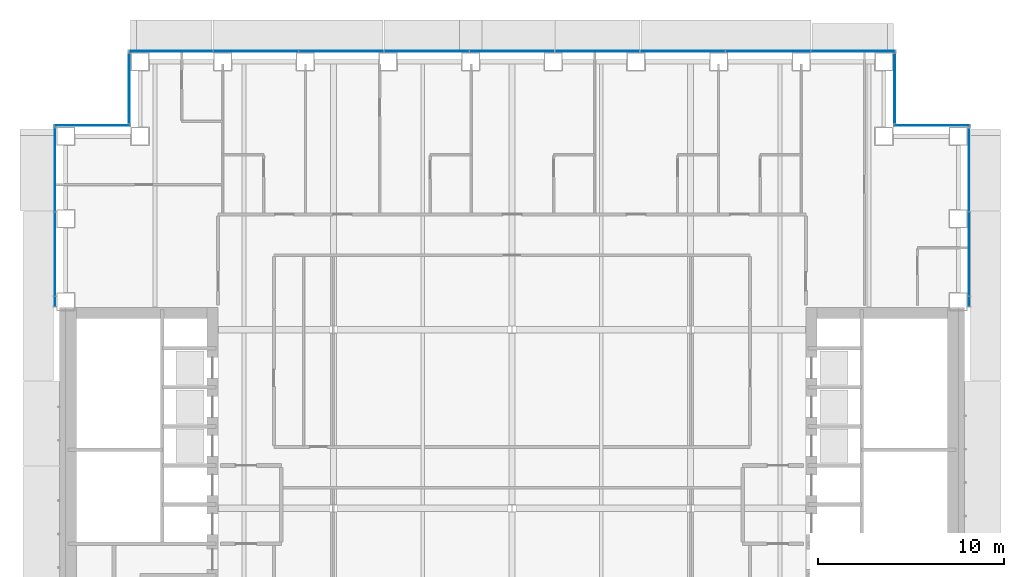
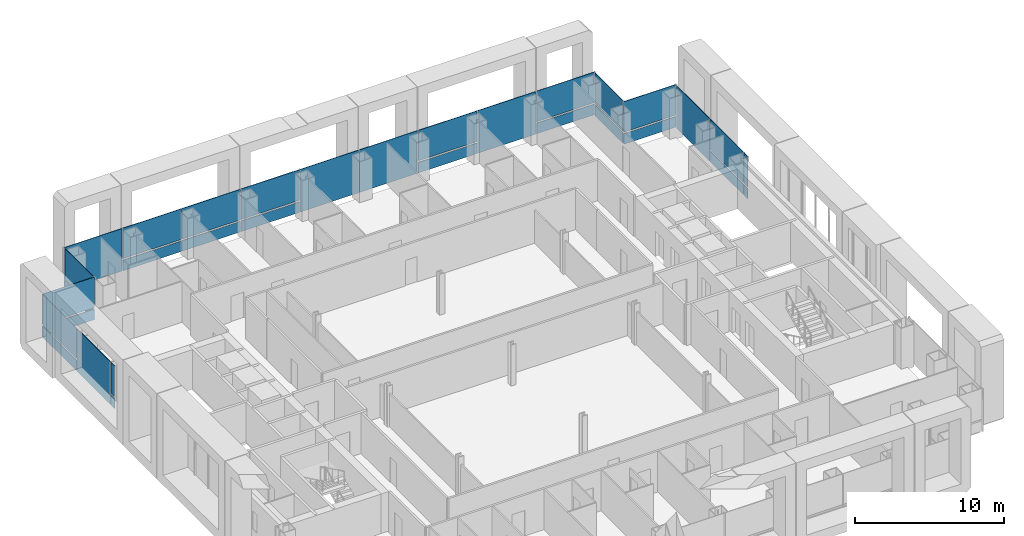
# One storey, part 14 of 25: 32 plates, 7 elements without a shape of their own.
"""IFC4 building model written with IfcOpenShell, lengths in metres."""

from ifc_helpers import new_model, si_unit, direction, frame, origin, origin_2d, place, context, subcontext, project, spatial, rectangle, extrude, material, layer, layer_set, type_object, element, aggregate, save


model = new_model("IFC4")

# Units and contexts
model_context = context("Model", 3, precision=1e-05, world=origin(), true_north=direction((0.0, 1.0)))
body_context = subcontext(model_context, "Body", "Model", "MODEL_VIEW")
ifc_project = project(units=[si_unit("LENGTHUNIT", "METRE"), si_unit("AREAUNIT", "SQUARE_METRE"), si_unit("VOLUMEUNIT", "CUBIC_METRE"), si_unit("PLANEANGLEUNIT", "RADIAN"), si_unit("MASSUNIT", "GRAM", prefix="KILO")], contexts=[model_context])

# Site, building, storey
site_placement = place(None, origin())
site = spatial("IfcSite", under=ifc_project, at=site_placement, CompositionType="ELEMENT")
building_placement = place(site_placement, origin())
building = spatial("IfcBuilding", under=site, at=building_placement, Name="Cobrizo Arcos Hotel Tower", CompositionType="ELEMENT")
storey_placement = place(building_placement, frame((0.0, 0.0, 46.0)))
storey = spatial("IfcBuildingStorey", under=building, at=storey_placement, Name="L09", CompositionType="ELEMENT", Elevation=46.0)

# Curtain wall, plates
ifc_material_1 = material(Name="Aluminium 6063-T6 anodised bronze", Category="aluminium")
curtain_wall_type = type_object("IfcCurtainWallType", Name="CW-A guest facade", PredefinedType="NOTDEFINED", material=ifc_material_1)
curtain_wall_1_placement = place(storey_placement, origin())
curtain_wall_1 = element("IfcCurtainWall", 1, at=curtain_wall_1_placement, inside=storey, type_object=curtain_wall_type, Name="CW-A L09 E face", PredefinedType="NOTDEFINED")
ifc_material_2 = material(Name="Glass clear laminated low-e", Category="glass")
ifc_layer_1 = layer(ifc_material_2, 0.0400390625)
ifc_layer_set_1 = layer_set([ifc_layer_1], Name="CW-A glass panel")
plate_type_1 = type_object("IfcPlateType", Name="CW-A glass panel", PredefinedType="CURTAIN_PANEL", material=ifc_layer_set_1)
plate_1_placement = place(storey_placement, frame((24.574951171875, 11.109375, 0.990234375), z_axis=(0.0, 0.0, 1.0), x_axis=(0.0, 1.0, 0.0)))
plate_1 = element("IfcPlate", 2, at=plate_1_placement, type_object=plate_type_1, Name="CW-A glass panel 451", PredefinedType="CURTAIN_PANEL", context=body_context, shape_type="SweptSolid", body=[
    extrude(rectangle(XDim=0.498779296875, YDim=0.0400390625, at=origin_2d()), origin(), (0.0, 0.0, 1.0), 2.510009765625),
])
plate_2_placement = place(storey_placement, frame((24.574951171875, 13.666748046875, 0.990234375), z_axis=(0.0, 0.0, 1.0), x_axis=(0.0, 1.0, 0.0)))
plate_2 = element("IfcPlate", 3, at=plate_2_placement, type_object=plate_type_1, Name="CW-A glass panel 452", PredefinedType="CURTAIN_PANEL", context=body_context, shape_type="SweptSolid", body=[
    extrude(rectangle(XDim=4.49560546875, YDim=0.0400390625, at=origin_2d()), origin(), (0.0, 0.0, 1.0), 2.510009765625),
])

# Curtain wall, plate
curtain_wall_2_placement = place(storey_placement, origin())
curtain_wall_2 = element("IfcCurtainWall", 4, at=curtain_wall_2_placement, inside=storey, type_object=curtain_wall_type, Name="CW-A L09 N face", PredefinedType="NOTDEFINED")
plate_3_placement = place(storey_placement, frame((22.574951171875, 20.574951171875, 0.990234375), z_axis=(0.0, 0.0, 1.0), x_axis=(-1.0, 0.0, 0.0)))
plate_3 = element("IfcPlate", 5, at=plate_3_placement, type_object=plate_type_1, Name="CW-A glass panel 454", PredefinedType="CURTAIN_PANEL", context=body_context, shape_type="SweptSolid", body=[
    extrude(rectangle(XDim=4.030029296875, YDim=0.0400390625, at=origin_2d()), origin(), (0.0, 0.0, 1.0), 2.510009765625),
])

curtain_wall_3_placement = place(storey_placement, origin())
curtain_wall_3 = element("IfcCurtainWall", 6, at=curtain_wall_3_placement, inside=storey, type_object=curtain_wall_type, Name="CW-A L09 E face", PredefinedType="NOTDEFINED")
plate_4_placement = place(storey_placement, frame((20.574951171875, 22.574951171875, 0.990234375), z_axis=(0.0, 0.0, 1.0), x_axis=(0.0, 1.0, 0.0)))
plate_4 = element("IfcPlate", 7, at=plate_4_placement, type_object=plate_type_1, Name="CW-A glass panel 455", PredefinedType="CURTAIN_PANEL", context=body_context, shape_type="SweptSolid", body=[
    extrude(rectangle(XDim=3.72998046875, YDim=0.0400390625, at=origin_2d()), origin(), (0.0, 0.0, 1.0), 2.510009765625),
])

# Curtain wall, plates
curtain_wall_4_placement = place(storey_placement, origin())
curtain_wall_4 = element("IfcCurtainWall", 8, at=curtain_wall_4_placement, inside=storey, type_object=curtain_wall_type, Name="CW-A L09 N face", PredefinedType="NOTDEFINED")
plate_5_placement = place(storey_placement, frame((18.340576171875, 24.574951171875, 0.990234375), z_axis=(0.0, 0.0, 1.0), x_axis=(-1.0, 0.0, 0.0)))
plate_5 = element("IfcPlate", 9, at=plate_5_placement, type_object=plate_type_1, Name="CW-A glass panel 456", PredefinedType="CURTAIN_PANEL", context=body_context, shape_type="SweptSolid", body=[
    extrude(rectangle(XDim=4.498779296875, YDim=0.0400390625, at=origin_2d()), origin(), (0.0, 0.0, 1.0), 2.510009765625),
])
plate_6_placement = place(storey_placement, frame((9.177734375, 24.574951171875, 0.990234375), z_axis=(0.0, 0.0, 1.0), x_axis=(-1.0, 0.0, 0.0)))
plate_6 = element("IfcPlate", 10, at=plate_6_placement, type_object=plate_type_1, Name="CW-A glass panel 458", PredefinedType="CURTAIN_PANEL", context=body_context, shape_type="SweptSolid", body=[
    extrude(rectangle(XDim=4.52880859375, YDim=0.0400390625, at=origin_2d()), origin(), (0.0, 0.0, 1.0), 2.510009765625),
])
plate_7_placement = place(storey_placement, frame((-4.5888671875, 24.574951171875, 0.990234375), z_axis=(0.0, 0.0, 1.0), x_axis=(-1.0, 0.0, 0.0)))
plate_7 = element("IfcPlate", 11, at=plate_7_placement, type_object=plate_type_1, Name="CW-A glass panel 461", PredefinedType="CURTAIN_PANEL", context=body_context, shape_type="SweptSolid", body=[
    extrude(rectangle(XDim=4.52880859375, YDim=0.0400390625, at=origin_2d()), origin(), (0.0, 0.0, 1.0), 2.510009765625),
])
plate_8_placement = place(storey_placement, frame((-9.177734375, 24.574951171875, 0.990234375), z_axis=(0.0, 0.0, 1.0), x_axis=(-1.0, 0.0, 0.0)))
plate_8 = element("IfcPlate", 12, at=plate_8_placement, type_object=plate_type_1, Name="CW-A glass panel 462", PredefinedType="CURTAIN_PANEL", context=body_context, shape_type="SweptSolid", body=[
    extrude(rectangle(XDim=4.52880859375, YDim=0.0400390625, at=origin_2d()), origin(), (0.0, 0.0, 1.0), 2.510009765625),
])
plate_9_placement = place(storey_placement, frame((-13.7666015625, 24.574951171875, 0.990234375), z_axis=(0.0, 0.0, 1.0), x_axis=(-1.0, 0.0, 0.0)))
plate_9 = element("IfcPlate", 13, at=plate_9_placement, type_object=plate_type_1, Name="CW-A glass panel 463", PredefinedType="CURTAIN_PANEL", context=body_context, shape_type="SweptSolid", body=[
    extrude(rectangle(XDim=4.52880859375, YDim=0.0400390625, at=origin_2d()), origin(), (0.0, 0.0, 1.0), 2.510009765625),
])

# Curtain wall, plate
curtain_wall_5_placement = place(storey_placement, origin())
curtain_wall_5 = element("IfcCurtainWall", 14, at=curtain_wall_5_placement, inside=storey, type_object=curtain_wall_type, Name="CW-A L09 W face", PredefinedType="NOTDEFINED")
plate_10_placement = place(storey_placement, frame((-20.574951171875, 22.574951171875, 0.990234375), z_axis=(0.0, 0.0, 1.0), x_axis=(0.0, -1.0, 0.0)))
plate_10 = element("IfcPlate", 15, at=plate_10_placement, type_object=plate_type_1, Name="CW-A glass panel 465", PredefinedType="CURTAIN_PANEL", context=body_context, shape_type="SweptSolid", body=[
    extrude(rectangle(XDim=3.72998046875, YDim=0.0400390625, at=origin_2d()), origin(), (0.0, 0.0, 1.0), 2.510009765625),
])

curtain_wall_6_placement = place(storey_placement, origin())
curtain_wall_6 = element("IfcCurtainWall", 16, at=curtain_wall_6_placement, inside=storey, type_object=curtain_wall_type, Name="CW-A L09 N face", PredefinedType="NOTDEFINED")
plate_11_placement = place(storey_placement, frame((-22.574951171875, 20.574951171875, 0.990234375), z_axis=(0.0, 0.0, 1.0), x_axis=(-1.0, 0.0, 0.0)))
plate_11 = element("IfcPlate", 17, at=plate_11_placement, type_object=plate_type_1, Name="CW-A glass panel 466", PredefinedType="CURTAIN_PANEL", context=body_context, shape_type="SweptSolid", body=[
    extrude(rectangle(XDim=4.030029296875, YDim=0.0400390625, at=origin_2d()), origin(), (0.0, 0.0, 1.0), 2.510009765625),
])

# Curtain wall, plates
curtain_wall_7_placement = place(storey_placement, origin())
curtain_wall_7 = element("IfcCurtainWall", 18, at=curtain_wall_7_placement, inside=storey, type_object=curtain_wall_type, Name="CW-A L09 W face", PredefinedType="NOTDEFINED")
plate_12_placement = place(storey_placement, frame((-24.574951171875, 18.207275390625, 0.990234375), z_axis=(0.0, 0.0, 1.0), x_axis=(0.0, -1.0, 0.0)))
plate_12 = element("IfcPlate", 19, at=plate_12_placement, type_object=plate_type_1, Name="CW-A glass panel 467", PredefinedType="CURTAIN_PANEL", context=body_context, shape_type="SweptSolid", body=[
    extrude(rectangle(XDim=4.465576171875, YDim=0.0400390625, at=origin_2d()), origin(), (0.0, 0.0, 1.0), 2.510009765625),
])
plate_13_placement = place(storey_placement, frame((-24.574951171875, 11.109375, 0.990234375), z_axis=(0.0, 0.0, 1.0), x_axis=(0.0, -1.0, 0.0)))
plate_13 = element("IfcPlate", 20, at=plate_13_placement, type_object=plate_type_1, Name="CW-A glass panel 469", PredefinedType="CURTAIN_PANEL", context=body_context, shape_type="SweptSolid", body=[
    extrude(rectangle(XDim=0.498779296875, YDim=0.0400390625, at=origin_2d()), origin(), (0.0, 0.0, 1.0), 2.510009765625),
])

# Plate
ifc_material_3 = material(Name="Aluminium composite panel pale metal", Category="aluminium")
ifc_layer_2 = layer(ifc_material_3, 0.0400390625)
ifc_layer_set_2 = layer_set([ifc_layer_2], Name="CW-A spandrel panel")
plate_type_2 = type_object("IfcPlateType", Name="CW-A spandrel panel", PredefinedType="CURTAIN_PANEL", material=ifc_layer_set_2)
plate_14_placement = place(storey_placement, frame((24.574951171875, 11.109375, 0.0), z_axis=(0.0, 0.0, 1.0), x_axis=(0.0, 1.0, 0.0)))
plate_14 = element("IfcPlate", 21, at=plate_14_placement, type_object=plate_type_2, Name="CW-A spandrel panel 451", PredefinedType="CURTAIN_PANEL", context=body_context, shape_type="SweptSolid", body=[
    extrude(rectangle(XDim=0.498779296875, YDim=0.0400390625, at=origin_2d()), origin(), (0.0, 0.0, 1.0), 0.8701171875),
])

plate_15_placement = place(storey_placement, frame((24.574951171875, 13.666748046875, 0.0), z_axis=(0.0, 0.0, 1.0), x_axis=(0.0, 1.0, 0.0)))
plate_15 = element("IfcPlate", 22, at=plate_15_placement, type_object=plate_type_2, Name="CW-A spandrel panel 452", PredefinedType="CURTAIN_PANEL", context=body_context, shape_type="SweptSolid", body=[
    extrude(rectangle(XDim=4.49560546875, YDim=0.0400390625, at=origin_2d()), origin(), (0.0, 0.0, 1.0), 0.8701171875),
])

plate_16_placement = place(storey_placement, frame((24.574951171875, 18.207275390625, 0.0), z_axis=(0.0, 0.0, 1.0), x_axis=(0.0, 1.0, 0.0)))
plate_16 = element("IfcPlate", 23, at=plate_16_placement, type_object=plate_type_2, Name="CW-A spandrel panel 453", PredefinedType="CURTAIN_PANEL", context=body_context, shape_type="SweptSolid", body=[
    extrude(rectangle(XDim=4.465576171875, YDim=0.0400390625, at=origin_2d()), origin(), (0.0, 0.0, 1.0), 3.5),
])

aggregate(curtain_wall_1, [plate_14, plate_1, plate_15, plate_2, plate_16])

plate_17_placement = place(storey_placement, frame((22.574951171875, 20.574951171875, 0.0), z_axis=(0.0, 0.0, 1.0), x_axis=(-1.0, 0.0, 0.0)))
plate_17 = element("IfcPlate", 24, at=plate_17_placement, type_object=plate_type_2, Name="CW-A spandrel panel 454", PredefinedType="CURTAIN_PANEL", context=body_context, shape_type="SweptSolid", body=[
    extrude(rectangle(XDim=4.030029296875, YDim=0.0400390625, at=origin_2d()), origin(), (0.0, 0.0, 1.0), 0.8701171875),
])

aggregate(curtain_wall_2, [plate_17, plate_3])

plate_18_placement = place(storey_placement, frame((20.574951171875, 22.574951171875, 0.0), z_axis=(0.0, 0.0, 1.0), x_axis=(0.0, 1.0, 0.0)))
plate_18 = element("IfcPlate", 25, at=plate_18_placement, type_object=plate_type_2, Name="CW-A spandrel panel 455", PredefinedType="CURTAIN_PANEL", context=body_context, shape_type="SweptSolid", body=[
    extrude(rectangle(XDim=3.72998046875, YDim=0.0400390625, at=origin_2d()), origin(), (0.0, 0.0, 1.0), 0.8701171875),
])

aggregate(curtain_wall_3, [plate_18, plate_4])

plate_19_placement = place(storey_placement, frame((18.340576171875, 24.574951171875, 0.0), z_axis=(0.0, 0.0, 1.0), x_axis=(-1.0, 0.0, 0.0)))
plate_19 = element("IfcPlate", 26, at=plate_19_placement, type_object=plate_type_2, Name="CW-A spandrel panel 456", PredefinedType="CURTAIN_PANEL", context=body_context, shape_type="SweptSolid", body=[
    extrude(rectangle(XDim=4.498779296875, YDim=0.0400390625, at=origin_2d()), origin(), (0.0, 0.0, 1.0), 0.8701171875),
])

plate_20_placement = place(storey_placement, frame((13.7666015625, 24.574951171875, 0.0), z_axis=(0.0, 0.0, 1.0), x_axis=(-1.0, 0.0, 0.0)))
plate_20 = element("IfcPlate", 27, at=plate_20_placement, type_object=plate_type_2, Name="CW-A spandrel panel 457", PredefinedType="CURTAIN_PANEL", context=body_context, shape_type="SweptSolid", body=[
    extrude(rectangle(XDim=4.52880859375, YDim=0.0400390625, at=origin_2d()), origin(), (0.0, 0.0, 1.0), 3.5),
])

plate_21_placement = place(storey_placement, frame((9.177734375, 24.574951171875, 0.0), z_axis=(0.0, 0.0, 1.0), x_axis=(-1.0, 0.0, 0.0)))
plate_21 = element("IfcPlate", 28, at=plate_21_placement, type_object=plate_type_2, Name="CW-A spandrel panel 458", PredefinedType="CURTAIN_PANEL", context=body_context, shape_type="SweptSolid", body=[
    extrude(rectangle(XDim=4.52880859375, YDim=0.0400390625, at=origin_2d()), origin(), (0.0, 0.0, 1.0), 0.8701171875),
])

plate_22_placement = place(storey_placement, frame((4.5888671875, 24.574951171875, 0.0), z_axis=(0.0, 0.0, 1.0), x_axis=(-1.0, 0.0, 0.0)))
plate_22 = element("IfcPlate", 29, at=plate_22_placement, type_object=plate_type_2, Name="CW-A spandrel panel 459", PredefinedType="CURTAIN_PANEL", context=body_context, shape_type="SweptSolid", body=[
    extrude(rectangle(XDim=4.52880859375, YDim=0.0400390625, at=origin_2d()), origin(), (0.0, 0.0, 1.0), 3.5),
])

plate_23_placement = place(storey_placement, frame((0.0, 24.574951171875, 0.0), z_axis=(0.0, 0.0, 1.0), x_axis=(-1.0, 0.0, 0.0)))
plate_23 = element("IfcPlate", 30, at=plate_23_placement, type_object=plate_type_2, Name="CW-A spandrel panel 460", PredefinedType="CURTAIN_PANEL", context=body_context, shape_type="SweptSolid", body=[
    extrude(rectangle(XDim=4.52880859375, YDim=0.0400390625, at=origin_2d()), origin(), (0.0, 0.0, 1.0), 3.5),
])

plate_24_placement = place(storey_placement, frame((-4.5888671875, 24.574951171875, 0.0), z_axis=(0.0, 0.0, 1.0), x_axis=(-1.0, 0.0, 0.0)))
plate_24 = element("IfcPlate", 31, at=plate_24_placement, type_object=plate_type_2, Name="CW-A spandrel panel 461", PredefinedType="CURTAIN_PANEL", context=body_context, shape_type="SweptSolid", body=[
    extrude(rectangle(XDim=4.52880859375, YDim=0.0400390625, at=origin_2d()), origin(), (0.0, 0.0, 1.0), 0.8701171875),
])

plate_25_placement = place(storey_placement, frame((-9.177734375, 24.574951171875, 0.0), z_axis=(0.0, 0.0, 1.0), x_axis=(-1.0, 0.0, 0.0)))
plate_25 = element("IfcPlate", 32, at=plate_25_placement, type_object=plate_type_2, Name="CW-A spandrel panel 462", PredefinedType="CURTAIN_PANEL", context=body_context, shape_type="SweptSolid", body=[
    extrude(rectangle(XDim=4.52880859375, YDim=0.0400390625, at=origin_2d()), origin(), (0.0, 0.0, 1.0), 0.8701171875),
])

plate_26_placement = place(storey_placement, frame((-13.7666015625, 24.574951171875, 0.0), z_axis=(0.0, 0.0, 1.0), x_axis=(-1.0, 0.0, 0.0)))
plate_26 = element("IfcPlate", 33, at=plate_26_placement, type_object=plate_type_2, Name="CW-A spandrel panel 463", PredefinedType="CURTAIN_PANEL", context=body_context, shape_type="SweptSolid", body=[
    extrude(rectangle(XDim=4.52880859375, YDim=0.0400390625, at=origin_2d()), origin(), (0.0, 0.0, 1.0), 0.8701171875),
])

plate_27_placement = place(storey_placement, frame((-18.340576171875, 24.574951171875, 0.0), z_axis=(0.0, 0.0, 1.0), x_axis=(-1.0, 0.0, 0.0)))
plate_27 = element("IfcPlate", 34, at=plate_27_placement, type_object=plate_type_2, Name="CW-A spandrel panel 464", PredefinedType="CURTAIN_PANEL", context=body_context, shape_type="SweptSolid", body=[
    extrude(rectangle(XDim=4.498779296875, YDim=0.0400390625, at=origin_2d()), origin(), (0.0, 0.0, 1.0), 3.5),
])

aggregate(curtain_wall_4, [plate_19, plate_5, plate_20, plate_21, plate_6, plate_22, plate_23, plate_24, plate_7, plate_25, plate_8, plate_26, plate_9, plate_27])

plate_28_placement = place(storey_placement, frame((-20.574951171875, 22.574951171875, 0.0), z_axis=(0.0, 0.0, 1.0), x_axis=(0.0, -1.0, 0.0)))
plate_28 = element("IfcPlate", 35, at=plate_28_placement, type_object=plate_type_2, Name="CW-A spandrel panel 465", PredefinedType="CURTAIN_PANEL", context=body_context, shape_type="SweptSolid", body=[
    extrude(rectangle(XDim=3.72998046875, YDim=0.0400390625, at=origin_2d()), origin(), (0.0, 0.0, 1.0), 0.8701171875),
])

aggregate(curtain_wall_5, [plate_28, plate_10])

plate_29_placement = place(storey_placement, frame((-22.574951171875, 20.574951171875, 0.0), z_axis=(0.0, 0.0, 1.0), x_axis=(-1.0, 0.0, 0.0)))
plate_29 = element("IfcPlate", 36, at=plate_29_placement, type_object=plate_type_2, Name="CW-A spandrel panel 466", PredefinedType="CURTAIN_PANEL", context=body_context, shape_type="SweptSolid", body=[
    extrude(rectangle(XDim=4.030029296875, YDim=0.0400390625, at=origin_2d()), origin(), (0.0, 0.0, 1.0), 0.8701171875),
])

aggregate(curtain_wall_6, [plate_29, plate_11])

plate_30_placement = place(storey_placement, frame((-24.574951171875, 18.207275390625, 0.0), z_axis=(0.0, 0.0, 1.0), x_axis=(0.0, -1.0, 0.0)))
plate_30 = element("IfcPlate", 37, at=plate_30_placement, type_object=plate_type_2, Name="CW-A spandrel panel 467", PredefinedType="CURTAIN_PANEL", context=body_context, shape_type="SweptSolid", body=[
    extrude(rectangle(XDim=4.465576171875, YDim=0.0400390625, at=origin_2d()), origin(), (0.0, 0.0, 1.0), 0.8701171875),
])

plate_31_placement = place(storey_placement, frame((-24.574951171875, 13.666748046875, 0.0), z_axis=(0.0, 0.0, 1.0), x_axis=(0.0, -1.0, 0.0)))
plate_31 = element("IfcPlate", 38, at=plate_31_placement, type_object=plate_type_2, Name="CW-A spandrel panel 468", PredefinedType="CURTAIN_PANEL", context=body_context, shape_type="SweptSolid", body=[
    extrude(rectangle(XDim=4.49560546875, YDim=0.0400390625, at=origin_2d()), origin(), (0.0, 0.0, 1.0), 3.5),
])

plate_32_placement = place(storey_placement, frame((-24.574951171875, 11.109375, 0.0), z_axis=(0.0, 0.0, 1.0), x_axis=(0.0, -1.0, 0.0)))
plate_32 = element("IfcPlate", 39, at=plate_32_placement, type_object=plate_type_2, Name="CW-A spandrel panel 469", PredefinedType="CURTAIN_PANEL", context=body_context, shape_type="SweptSolid", body=[
    extrude(rectangle(XDim=0.498779296875, YDim=0.0400390625, at=origin_2d()), origin(), (0.0, 0.0, 1.0), 0.8701171875),
])

aggregate(curtain_wall_7, [plate_30, plate_12, plate_31, plate_32, plate_13])

save(model, "model.ifc")
